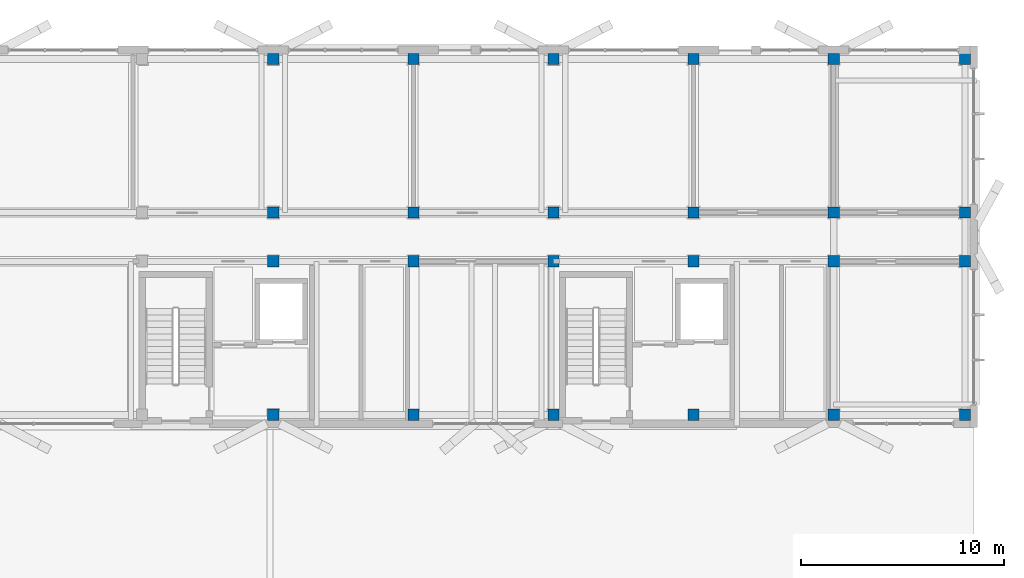
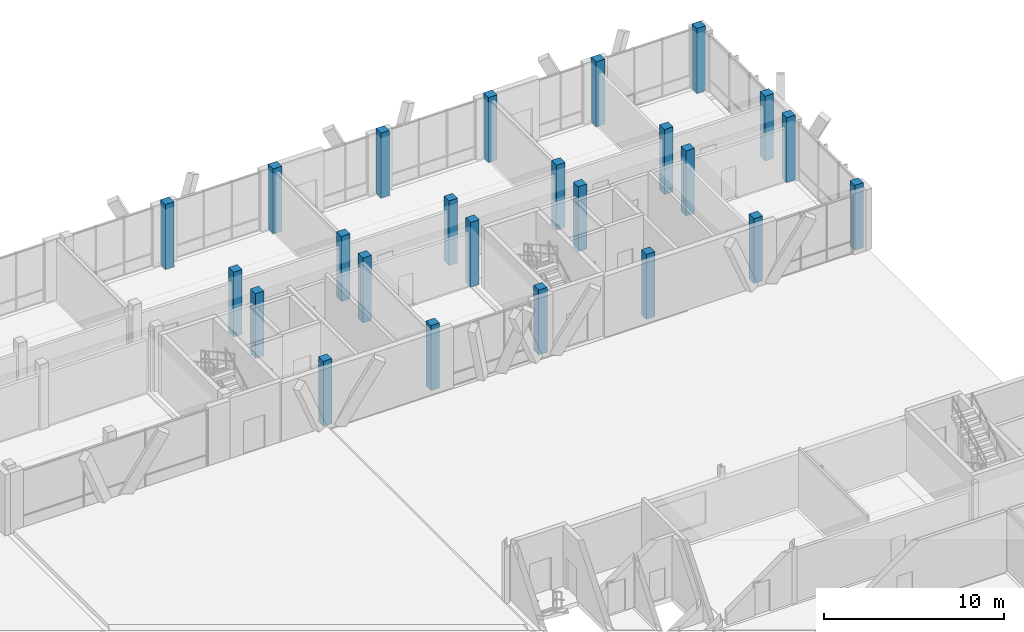
# One storey, part 17 of 233: 24 columns.
"""IFC4 building model written with IfcOpenShell, lengths in metres."""

import ifcopenshell
import ifcopenshell.guid

model = None  # the IFC model being written
_history = None  # IfcOwnerHistory: only IFC2X3 demands one
_inside = {}  # id of a spatial element -> (the spatial element, [elements in it])
_under = {}  # id of a project, library or spatial element -> (it, [spatial elements below it])
_declared = {}  # id of a project -> (the project, [libraries it declares])
_typed = {}  # id of a type object -> (the type object, [elements of that type])
_made_of = {}  # id of a material, layer set ... -> (it, [elements and type objects made of it])


def new_model(schema):
    """Start an empty IFC model of exactly this schema.

    Asked for "IFC4X3", IfcOpenShell would pick the latest addendum, in which some entities
    have other attributes; the version numbers below select the first issue.
    IFC2X3 requires an IfcOwnerHistory on every rooted entity: one is made here for all.
    """
    global model, _history
    if schema == "IFC4X3":
        model = ifcopenshell.file(schema_version=(4, 3, 0, 0))
    else:
        model = ifcopenshell.file(schema=schema)
    _inside.clear()
    _under.clear()
    _declared.clear()
    _typed.clear()
    _made_of.clear()
    _history = None
    if model.schema == "IFC2X3":
        org = make("IfcOrganization", Name="unknown")
        user = make(
            "IfcPersonAndOrganization",
            ThePerson=make("IfcPerson", FamilyName="unknown"),
            TheOrganization=org,
        )
        app = make(
            "IfcApplication",
            ApplicationDeveloper=org,
            Version="unknown",
            ApplicationFullName="unknown",
            ApplicationIdentifier="unknown",
        )
        _history = make(
            "IfcOwnerHistory",
            OwningUser=user,
            OwningApplication=app,
            ChangeAction="ADDED",
            CreationDate=0,
        )
    return model


def make(cls, **values):
    """One entity of the class cls with the attributes given. An attribute that is None is left unset."""
    return model.create_entity(
        cls, **{name: value for name, value in values.items() if value is not None}
    )


def rooted(cls, **values):
    """An entity with a GlobalId (a new one), such as an element, a storey or a relation."""
    return make(cls, GlobalId=ifcopenshell.guid.new(), OwnerHistory=_history, **values)


def si_unit(unit_type, name, prefix=None):
    """IfcSIUnit, for example si_unit("LENGTHUNIT", "METRE", prefix="MILLI")."""
    return make("IfcSIUnit", UnitType=unit_type, Prefix=prefix, Name=name)


def assignment(units):
    """IfcUnitAssignment: the units of a project."""
    return None if units is None else make("IfcUnitAssignment", Units=units)


def point(xyz):
    """IfcCartesianPoint."""
    return None if xyz is None else make("IfcCartesianPoint", Coordinates=xyz)


def direction(xyz):
    """IfcDirection."""
    return None if xyz is None else make("IfcDirection", DirectionRatios=xyz)


def frame(location, z_axis=None, x_axis=None):
    """IfcAxis2Placement3D, a coordinate frame: its origin and axes. An axis left out is left unset."""
    return make(
        "IfcAxis2Placement3D",
        Location=point(location),
        Axis=direction(z_axis),
        RefDirection=direction(x_axis),
    )


def frame_2d(location, x_axis=None):
    """IfcAxis2Placement2D, a coordinate frame in the plane: its origin and x axis."""
    return make(
        "IfcAxis2Placement2D", Location=point(location), RefDirection=direction(x_axis)
    )


def origin():
    """The frame at (0, 0, 0) with its axes left unset."""
    return frame((0.0, 0.0, 0.0))


def origin_2d():
    """The frame at (0, 0) in the plane with its x axis left unset."""
    return frame_2d((0.0, 0.0))


def place(relative_to, where):
    """IfcLocalPlacement: puts the frame where relative to a parent placement (None: the world)."""
    return make(
        "IfcLocalPlacement", PlacementRelTo=relative_to, RelativePlacement=where
    )


def context(
    kind, dimensions, precision=None, world=None, true_north=None, identifier=None
):
    """IfcGeometricRepresentationContext, for example the 3D "Model" context."""
    return make(
        "IfcGeometricRepresentationContext",
        ContextIdentifier=identifier,
        ContextType=kind,
        CoordinateSpaceDimension=dimensions,
        Precision=precision,
        WorldCoordinateSystem=world,
        TrueNorth=true_north,
    )


def subcontext(parent, identifier, kind, view, scale=None):
    """IfcGeometricRepresentationSubContext, for example "Body" below "Model"."""
    return make(
        "IfcGeometricRepresentationSubContext",
        ContextIdentifier=identifier,
        ContextType=kind,
        ParentContext=parent,
        TargetScale=scale,
        TargetView=view,
    )


def project(units=None, contexts=None):
    """IfcProject with its units and contexts."""
    return rooted(
        "IfcProject",
        Name="project",
        RepresentationContexts=contexts,
        UnitsInContext=assignment(units),
    )


def spatial(cls, under=None, at=None, **own):
    """A site, building, storey or space (cls), placed at a placement, below another one or the project."""
    s = rooted(cls, ObjectPlacement=at, **own)
    if under is not None:
        _under.setdefault(under.id(), (under, []))[1].append(s)
    return s


def profile(cls, at=None, kind="AREA", **sizes):
    """A parametric profile (cls). Its sizes go by their IFC names, for example OverallWidth=200.0."""
    return make(cls, ProfileType=kind, Position=at, **sizes)


def rectangle(**sizes):
    """IfcRectangleProfileDef."""
    return profile("IfcRectangleProfileDef", **sizes)


def extrude(swept, where, along, depth):
    """IfcExtrudedAreaSolid: the profile swept, set in the frame where, extruded along a direction by depth."""
    return make(
        "IfcExtrudedAreaSolid",
        SweptArea=swept,
        Position=where,
        ExtrudedDirection=direction(along),
        Depth=depth,
    )


def shape(context_of_items, identifier, shape_type, items):
    """IfcShapeRepresentation: the items that make up one representation, for example the "Body"."""
    return make(
        "IfcShapeRepresentation",
        ContextOfItems=context_of_items,
        RepresentationIdentifier=identifier,
        RepresentationType=shape_type,
        Items=items,
    )


def material(Name=None, Category=None):
    """IfcMaterial."""
    return make("IfcMaterial", Name=Name, Category=Category)


def material_profile(
    of_material, cross_section, Name=None, Category=None, Priority=None
):
    """IfcMaterialProfile: a cross section and its material."""
    return make(
        "IfcMaterialProfile",
        Name=Name,
        Material=of_material,
        Profile=cross_section,
        Priority=Priority,
        Category=Category,
    )


def profile_set(profiles, Name=None, composite=None):
    """IfcMaterialProfileSet."""
    return make(
        "IfcMaterialProfileSet",
        Name=Name,
        MaterialProfiles=profiles,
        CompositeProfile=composite,
    )


def made_of(thing, what):
    """Note that an element or type object is made of a material, layer set ...; save() writes the relation."""
    if what is not None:
        _made_of.setdefault(what.id(), (what, []))[1].append(thing)
    return thing


def type_object(cls, material=None, **own):
    """A type object (cls), such as IfcWallType, which elements share."""
    return made_of(rooted(cls, **own), material)


def element(
    cls,
    number,
    at=None,
    inside=None,
    cuts=None,
    type_object=None,
    material=None,
    context=None,
    identifier="Body",
    shape_type=None,
    held_by="IfcProductDefinitionShape",
    body=None,
    shapes=None,
    **own,
):
    """One element of the class cls, such as IfcWall. Its Tag is "e" and its number.

    at: its placement. inside: the storey or other place that contains it. cuts: it is an
    opening in that element (IfcRelVoidsElement). A single representation is given by context,
    identifier, shape_type and body (its items); several are given by shapes. held_by: the class
    of the entity that holds the representations. save() writes the other relations.
    """
    e = rooted(cls, Tag="e%d" % number, ObjectPlacement=at, **own)
    if body is not None:
        shapes = [shape(context, identifier, shape_type, body)]
    if shapes is not None:
        e.Representation = make(held_by, Representations=shapes)
    if inside is not None:
        _inside.setdefault(inside.id(), (inside, []))[1].append(e)
    if cuts is not None:
        rooted(
            "IfcRelVoidsElement", RelatingBuildingElement=cuts, RelatedOpeningElement=e
        )
    if type_object is not None:
        _typed.setdefault(type_object.id(), (type_object, []))[1].append(e)
    return made_of(e, material)


def aggregate(whole, parts):
    """IfcRelAggregates: a whole, such as a stair, and the parts it consists of."""
    return rooted("IfcRelAggregates", RelatingObject=whole, RelatedObjects=parts)


def save(model, path):
    """Write the relations noted so far, then the file.

    IfcRelAggregates (storeys below a building ...), IfcRelContainedInSpatialStructure (elements
    in a storey), IfcRelDefinesByType, IfcRelAssociatesMaterial and IfcRelDeclares: one each for
    every whole, place, type object, material and project.
    """
    for whole, parts in _under.values():
        aggregate(whole, parts)
    for where, things in _inside.values():
        rooted(
            "IfcRelContainedInSpatialStructure",
            RelatedElements=things,
            RelatingStructure=where,
        )
    for kind, things in _typed.values():
        rooted("IfcRelDefinesByType", RelatedObjects=things, RelatingType=kind)
    for what, things in _made_of.values():
        rooted("IfcRelAssociatesMaterial", RelatedObjects=things, RelatingMaterial=what)
    for by, libraries in _declared.values():
        rooted("IfcRelDeclares", RelatingContext=by, RelatedDefinitions=libraries)
    model.write(path)


model = new_model("IFC4")

# Units and contexts
model_context = context("Model", 3, precision=1e-05, world=origin(), true_north=direction((0.0, 1.0)))
body_context = subcontext(model_context, "Body", "Model", "MODEL_VIEW")
ifc_project = project(units=[si_unit("LENGTHUNIT", "METRE"), si_unit("AREAUNIT", "SQUARE_METRE"), si_unit("VOLUMEUNIT", "CUBIC_METRE"), si_unit("PLANEANGLEUNIT", "RADIAN"), si_unit("MASSUNIT", "GRAM", prefix="KILO")], contexts=[model_context])

# Site, building, storey
site_placement = place(None, origin())
site = spatial("IfcSite", under=ifc_project, at=site_placement, CompositionType="ELEMENT")
building_placement = place(site_placement, origin())
building = spatial("IfcBuilding", under=site, at=building_placement, Name="Zavelmont Quarter", CompositionType="ELEMENT")
storey_placement = place(building_placement, origin())
storey = spatial("IfcBuildingStorey", under=building, at=storey_placement, Name="L00", CompositionType="ELEMENT", Elevation=0.0)

# Columns
ifc_material = material(Name="Concrete C40/50", Category="concrete")
ifc_material_profile = material_profile(ifc_material, rectangle(XDim=0.550048828125, YDim=0.550048828125, at=origin_2d()), Name="RC550X550")
ifc_profile_set = profile_set([ifc_material_profile], Name="Concrete C40/50")
column_type = type_object("IfcColumnType", Name="CL02", PredefinedType="COLUMN", material=ifc_profile_set)
for number, where, z_axis, x_axis, name in (
    (1, (133.5, 98.0400390625, 0.0), (0.0, 0.0, 1.0), (1.0, 0.0, 0.0), "L00 column CL02 at 20/P"),
    (2, (133.5, 105.60009765625, 0.0), (0.0, 0.0, 1.0), (1.0, 0.0, 0.0), "L00 column CL02 at 20/Q"),
    (3, (133.5, 108.0, 0.0), (0.0, 0.0, 1.0), (1.0, 0.0, 0.0), "L00 column CL02 at 20/R"),
    (4, (133.5, 115.56005859375, 0.0), (0.0, 0.0, 1.0), (1.0, 0.0, 0.0), "L00 column CL02 at 20/S"),
    (5, (140.39990234375, 98.0400390625, 0.0), (0.0, 0.0, 1.0), (1.0, 0.0, 0.0), "L00 column CL02 at 21/P"),
    (6, (140.39990234375, 105.60009765625, 0.0), (0.0, 0.0, 1.0), (1.0, 0.0, 0.0), "L00 column CL02 at 21/Q"),
    (7, (140.39990234375, 108.0, 0.0), (0.0, 0.0, 1.0), (1.0, 0.0, 0.0), "L00 column CL02 at 21/R"),
    (8, (140.39990234375, 115.56005859375, 0.0), (0.0, 0.0, 1.0), (1.0, 0.0, 0.0), "L00 column CL02 at 21/S"),
    (9, (147.300048828125, 98.0400390625, 0.0), (0.0, 0.0, 1.0), (1.0, 0.0, 0.0), "L00 column CL02 at 22/P"),
    (10, (147.300048828125, 105.60009765625, 0.0), (0.0, 0.0, 1.0), (1.0, 0.0, 0.0), "L00 column CL02 at 22/Q"),
    (11, (147.300048828125, 108.0, 0.0), (0.0, 0.0, 1.0), (1.0, 0.0, 0.0), "L00 column CL02 at 22/R"),
    (12, (147.300048828125, 115.56005859375, 0.0), (0.0, 0.0, 1.0), (1.0, 0.0, 0.0), "L00 column CL02 at 22/S"),
    (13, (154.199951171875, 98.0400390625, 0.0), (0.0, 0.0, 1.0), (1.0, 0.0, 0.0), "L00 column CL02 at 23/P"),
    (14, (154.199951171875, 105.60009765625, 0.0), (0.0, 0.0, 1.0), (1.0, 0.0, 0.0), "L00 column CL02 at 23/Q"),
    (15, (154.199951171875, 108.0, 0.0), (0.0, 0.0, 1.0), (1.0, 0.0, 0.0), "L00 column CL02 at 23/R"),
    (16, (154.199951171875, 115.56005859375, 0.0), (0.0, 0.0, 1.0), (1.0, 0.0, 0.0), "L00 column CL02 at 23/S"),
    (17, (161.10009765625, 98.0400390625, 0.0), (0.0, 0.0, 1.0), (1.0, 0.0, 0.0), "L00 column CL02 at 24/P"),
    (18, (161.10009765625, 105.60009765625, 0.0), (0.0, 0.0, 1.0), (1.0, 0.0, 0.0), "L00 column CL02 at 24/Q"),
    (19, (161.10009765625, 108.0, 0.0), (0.0, 0.0, 1.0), (1.0, 0.0, 0.0), "L00 column CL02 at 24/R"),
    (20, (161.10009765625, 115.56005859375, 0.0), (0.0, 0.0, 1.0), (1.0, 0.0, 0.0), "L00 column CL02 at 24/S"),
    (21, (167.56005859375, 98.0400390625, 0.0), (0.0, 0.0, 1.0), (1.0, 0.0, 0.0), "L00 column CL02 at 25/P"),
    (22, (167.56005859375, 105.60009765625, 0.0), (0.0, 0.0, 1.0), (1.0, 0.0, 0.0), "L00 column CL02 at 25/Q"),
    (23, (167.56005859375, 108.0, 0.0), (0.0, 0.0, 1.0), (1.0, 0.0, 0.0), "L00 column CL02 at 25/R"),
    (24, (167.56005859375, 115.56005859375, 0.0), (0.0, 0.0, 1.0), (1.0, 0.0, 0.0), "L00 column CL02 at 25/S"),
):
    element("IfcColumn", number, at=place(storey_placement, frame(where, z_axis=z_axis, x_axis=x_axis)), inside=storey, type_object=column_type, Name=name, PredefinedType="COLUMN", context=body_context, shape_type="SweptSolid", body=[
        extrude(rectangle(XDim=0.550048828125, YDim=0.550048828125, at=origin_2d()), origin(), (0.0, 0.0, 1.0), 4.39990234375),
    ])

save(model, "model.ifc")
